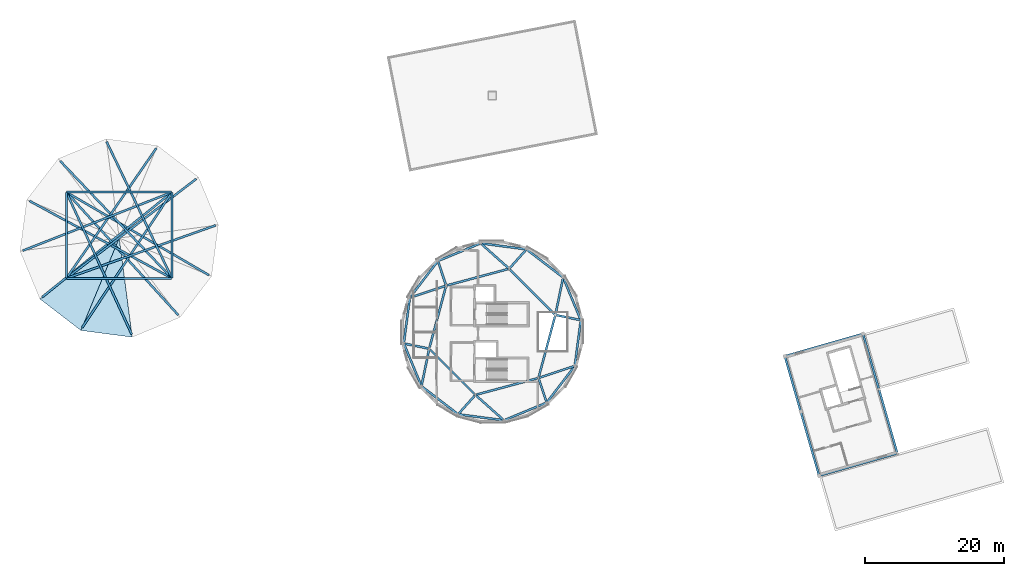
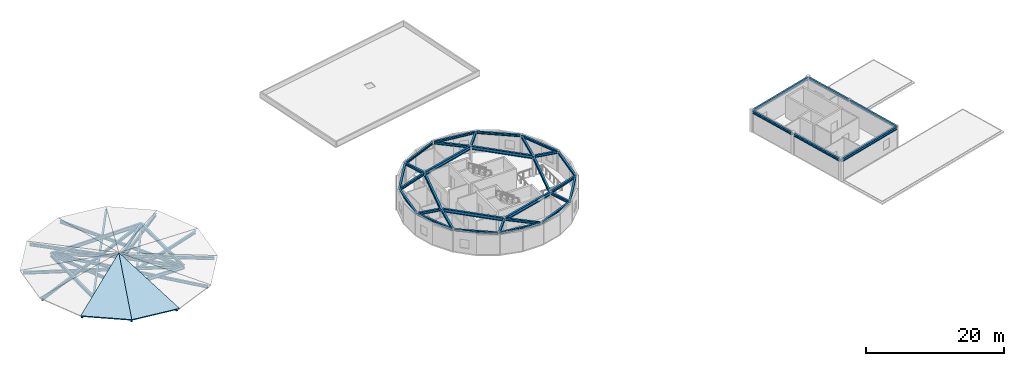
# One storey, part 4 of 11: 52 beams, 2 slabs.
"""IFC4 building model written with IfcOpenShell, lengths in metres."""

from ifc_helpers import new_model, si_unit, direction, frame, origin, origin_2d, place, context, subcontext, project, spatial, polyline, i_section, outline, extrude, material, layer, layer_set, material_profile, profile_set, type_object, element, save


model = new_model("IFC4")

# Units and contexts
model_context = context("Model", 3, precision=1e-05, world=origin(), true_north=direction((0.0, 1.0)))
body_context = subcontext(model_context, "Body", "Model", "MODEL_VIEW")
ifc_project = project(units=[si_unit("LENGTHUNIT", "METRE"), si_unit("AREAUNIT", "SQUARE_METRE"), si_unit("VOLUMEUNIT", "CUBIC_METRE"), si_unit("PLANEANGLEUNIT", "RADIAN"), si_unit("MASSUNIT", "GRAM", prefix="KILO")], contexts=[model_context])

# Site, building, storey
site_placement = place(None, origin())
site = spatial("IfcSite", under=ifc_project, at=site_placement, CompositionType="ELEMENT")
building_placement = place(site_placement, origin())
building = spatial("IfcBuilding", under=site, at=building_placement, Name="Varnklinge Art Gallery", CompositionType="ELEMENT")
storey_placement = place(building_placement, frame((0.0, 0.0, 17.639892578125)))
storey = spatial("IfcBuildingStorey", under=building, at=storey_placement, Name="L04", CompositionType="ELEMENT", Elevation=17.639892578125)

# Beams
ifc_material_1 = material(Name="Steel S355", Category="steel")
ifc_material_profile_1 = material_profile(ifc_material_1, i_section(OverallWidth=0.300048828125, OverallDepth=0.60009765625, WebThickness=0.015380859375, FlangeThickness=0.030029296875, FilletRadius=0.027099609375, at=origin_2d()), Name="HEB 600")
ifc_profile_set_1 = profile_set([ifc_material_profile_1], Name="Steel S355")
beam_type_1 = type_object("IfcBeamType", Name="BM-05", PredefinedType="BEAM", material=ifc_profile_set_1)
beam_1_placement = place(storey_placement, frame((14.25, 46.199951171875, 0.18017578125), z_axis=(1.0, 0.0, 0.0), x_axis=(0.0, 1.0, 0.0)))
element("IfcBeam", 1, at=beam_1_placement, inside=storey, type_object=beam_type_1, Name="L04 BM-05 BM-V3-ROOF-RING-1", PredefinedType="BEAM", context=body_context, shape_type="SweptSolid", body=[
    extrude(i_section(OverallWidth=0.300048828125, OverallDepth=0.60009765625, WebThickness=0.015380859375, FlangeThickness=0.030029296875, FilletRadius=0.027099609375, at=origin_2d()), origin(), (0.0, 0.0, 1.0), 15.10009765625),
])
beam_2_placement = place(storey_placement, frame((29.39990234375, 46.25, 0.18017578125), z_axis=(0.0, 1.0, 0.0), x_axis=(-1.0, 0.0, 0.0)))
element("IfcBeam", 2, at=beam_2_placement, inside=storey, type_object=beam_type_1, Name="L04 BM-05 BM-V3-ROOF-RING-2", PredefinedType="BEAM", context=body_context, shape_type="SweptSolid", body=[
    extrude(i_section(OverallWidth=0.300048828125, OverallDepth=0.60009765625, WebThickness=0.015380859375, FlangeThickness=0.030029296875, FilletRadius=0.027099609375, at=origin_2d()), origin(), (0.0, 0.0, 1.0), 12.300048828125),
])
beam_3_placement = place(storey_placement, frame((29.35009765625, 58.60009765625, 0.18017578125), z_axis=(-1.0, 0.0, 0.0), x_axis=(0.0, -1.0, 0.0)))
element("IfcBeam", 3, at=beam_3_placement, inside=storey, type_object=beam_type_1, Name="L04 BM-05 BM-V3-ROOF-RING-3", PredefinedType="BEAM", context=body_context, shape_type="SweptSolid", body=[
    extrude(i_section(OverallWidth=0.300048828125, OverallDepth=0.60009765625, WebThickness=0.015380859375, FlangeThickness=0.030029296875, FilletRadius=0.027099609375, at=origin_2d()), origin(), (0.0, 0.0, 1.0), 15.10009765625),
])
beam_4_placement = place(storey_placement, frame((14.199951171875, 58.550048828125, 0.18017578125), z_axis=(0.0, -1.0, 0.0), x_axis=(1.0, 0.0, 0.0)))
element("IfcBeam", 4, at=beam_4_placement, inside=storey, type_object=beam_type_1, Name="L04 BM-05 BM-V3-ROOF-RING-4", PredefinedType="BEAM", context=body_context, shape_type="SweptSolid", body=[
    extrude(i_section(OverallWidth=0.300048828125, OverallDepth=0.60009765625, WebThickness=0.015380859375, FlangeThickness=0.030029296875, FilletRadius=0.027099609375, at=origin_2d()), origin(), (0.0, 0.0, 1.0), 12.300048828125),
])
ifc_material_2 = material(Name="Steel S355", Category="steel")
ifc_material_profile_2 = material_profile(ifc_material_2, i_section(OverallWidth=0.300048828125, OverallDepth=0.590087890625, WebThickness=0.012939453125, FlangeThickness=0.02490234375, FilletRadius=0.027099609375, at=origin_2d()), Name="HEA 600")
ifc_profile_set_2 = profile_set([ifc_material_profile_2], Name="Steel S355")
beam_type_2 = type_object("IfcBeamType", Name="BM-06", PredefinedType="BEAM", material=ifc_profile_set_2)
beam_5_placement = place(storey_placement, frame((84.480712890625, 41.031982421875, 3.445068359375), z_axis=(-0.707106781187, 0.707106781187, 0.0), x_axis=(-0.707106781187, -0.707106781187, 0.0)))
element("IfcBeam", 5, at=beam_5_placement, inside=storey, type_object=beam_type_2, Name="L04 BM-06 BM-V4D-L05-I1", PredefinedType="BEAM", context=body_context, shape_type="SweptSolid", body=[
    extrude(i_section(OverallWidth=0.300048828125, OverallDepth=0.590087890625, WebThickness=0.012939453125, FlangeThickness=0.02490234375, FilletRadius=0.027099609375, at=origin_2d()), origin(), (0.0, 0.0, 1.0), 9.119873046875),
])
for number, where, z_axis, x_axis, name in (
    (6, (77.797607421875, 47.54345703125, 3.445068359375), (-0.965928574877, -0.258808787016, 0.0), (0.258808787016, -0.965928574877, 0.0), "L04 BM-06 BM-V4D-L05-I2"),
    (7, (68.81689453125, 45.01171875, 3.445068359375), (-0.258808787016, -0.965928574877, 0.0), (0.965928574877, -0.258808787016, 0.0), "L04 BM-06 BM-V4D-L05-I3"),
):
    element("IfcBeam", number, at=place(storey_placement, frame(where, z_axis=z_axis, x_axis=x_axis)), inside=storey, type_object=beam_type_2, Name=name, PredefinedType="BEAM", context=body_context, shape_type="SweptSolid", body=[
        extrude(i_section(OverallWidth=0.300048828125, OverallDepth=0.590087890625, WebThickness=0.012939453125, FlangeThickness=0.02490234375, FilletRadius=0.027099609375, at=origin_2d()), origin(), (0.0, 0.0, 1.0), 9.1201171875),
    ])
beam_6_placement = place(storey_placement, frame((66.519287109375, 35.968017578125, 3.445068359375), z_axis=(0.707106781187, -0.707106781187, 0.0), x_axis=(0.707106781187, 0.707106781187, 0.0)))
element("IfcBeam", 8, at=beam_6_placement, inside=storey, type_object=beam_type_2, Name="L04 BM-06 BM-V4D-L05-I4", PredefinedType="BEAM", context=body_context, shape_type="SweptSolid", body=[
    extrude(i_section(OverallWidth=0.300048828125, OverallDepth=0.590087890625, WebThickness=0.012939453125, FlangeThickness=0.02490234375, FilletRadius=0.027099609375, at=origin_2d()), origin(), (0.0, 0.0, 1.0), 9.119873046875),
])
for number, where, z_axis, x_axis, name in (
    (9, (73.202392578125, 29.45654296875, 3.445068359375), (0.965928574877, 0.258808787016, 0.0), (-0.258808787016, 0.965928574877, 0.0), "L04 BM-06 BM-V4D-L05-I5"),
    (10, (82.18310546875, 31.98828125, 3.445068359375), (0.258808787016, 0.965928574877, 0.0), (-0.965928574877, 0.258808787016, 0.0), "L04 BM-06 BM-V4D-L05-I6"),
):
    element("IfcBeam", number, at=place(storey_placement, frame(where, z_axis=z_axis, x_axis=x_axis)), inside=storey, type_object=beam_type_2, Name=name, PredefinedType="BEAM", context=body_context, shape_type="SweptSolid", body=[
        extrude(i_section(OverallWidth=0.300048828125, OverallDepth=0.590087890625, WebThickness=0.012939453125, FlangeThickness=0.02490234375, FilletRadius=0.027099609375, at=origin_2d()), origin(), (0.0, 0.0, 1.0), 9.1201171875),
    ])
ifc_material_3 = material(Name="Steel S355", Category="steel")
ifc_material_profile_3 = material_profile(ifc_material_3, i_section(OverallWidth=0.300048828125, OverallDepth=0.489990234375, WebThickness=0.011962890625, FlangeThickness=0.02294921875, FilletRadius=0.027099609375, at=origin_2d()), Name="HEA 500")
ifc_profile_set_3 = profile_set([ifc_material_profile_3], Name="Steel S355")
beam_type_3 = type_object("IfcBeamType", Name="BM-07", PredefinedType="BEAM", material=ifc_profile_set_3)
beam_7_placement = place(storey_placement, frame((35.653076171875, 53.813232421875, -0.443359375), z_axis=(-0.941998924804, -0.33429095388, 0.029792345014), x_axis=(0.334439408333, -0.942417254805, 0.0)))
element("IfcBeam", 11, at=beam_7_placement, inside=storey, type_object=beam_type_3, Name="L04 BM-07 BM-V3-ROOF-R01", PredefinedType="BEAM", context=body_context, shape_type="SweptSolid", body=[
    extrude(i_section(OverallWidth=0.300048828125, OverallDepth=0.489990234375, WebThickness=0.011962890625, FlangeThickness=0.02294921875, FilletRadius=0.027099609375, at=origin_2d()), origin(), (0.0, 0.0, 1.0), 22.72412109375),
])
beam_8_placement = place(storey_placement, frame((32.883056640625, 60.50439453125, -0.443603515625), z_axis=(-0.793672578578, -0.607661576669, 0.028831341526), x_axis=(0.607914292436, -0.794002653051, 0.0)))
element("IfcBeam", 12, at=beam_8_placement, inside=storey, type_object=beam_type_3, Name="L04 BM-07 BM-V3-ROOF-R02", PredefinedType="BEAM", context=body_context, shape_type="SweptSolid", body=[
    extrude(i_section(OverallWidth=0.300048828125, OverallDepth=0.489990234375, WebThickness=0.011962890625, FlangeThickness=0.02294921875, FilletRadius=0.027099609375, at=origin_2d()), origin(), (0.0, 0.0, 1.0), 23.489990234375),
])
beam_9_placement = place(storey_placement, frame((27.13671875, 64.91162109375, -0.443359375), z_axis=(-0.568436919163, -0.822186506205, 0.029813049948), x_axis=(0.822552137019, -0.568689706154, 0.0)))
element("IfcBeam", 13, at=beam_9_placement, inside=storey, type_object=beam_type_3, Name="L04 BM-07 BM-V3-ROOF-R03", PredefinedType="BEAM", context=body_context, shape_type="SweptSolid", body=[
    extrude(i_section(OverallWidth=0.300048828125, OverallDepth=0.489990234375, WebThickness=0.011962890625, FlangeThickness=0.02294921875, FilletRadius=0.027099609375, at=origin_2d()), origin(), (0.0, 0.0, 1.0), 22.708251953125),
])
beam_10_placement = place(storey_placement, frame((19.99169921875, 65.85498046875, -0.443359375), z_axis=(0.431549226115, -0.90155266698, 0.0311135678), x_axis=(0.90198935994, 0.431758259393, 0.0)))
element("IfcBeam", 14, at=beam_10_placement, inside=storey, type_object=beam_type_3, Name="L04 BM-07 BM-V3-ROOF-R04", PredefinedType="BEAM", context=body_context, shape_type="SweptSolid", body=[
    extrude(i_section(OverallWidth=0.300048828125, OverallDepth=0.489990234375, WebThickness=0.011962890625, FlangeThickness=0.02294921875, FilletRadius=0.027099609375, at=origin_2d()), origin(), (0.0, 0.0, 1.0), 21.751220703125),
])
beam_11_placement = place(storey_placement, frame((13.2998046875, 63.086669921875, -0.443359375), z_axis=(0.689757594681, -0.723456715825, 0.029066147102), x_axis=(0.723762512515, 0.690049147147, 0.0)))
element("IfcBeam", 15, at=beam_11_placement, inside=storey, type_object=beam_type_3, Name="L04 BM-07 BM-V3-ROOF-R05", PredefinedType="BEAM", context=body_context, shape_type="SweptSolid", body=[
    extrude(i_section(OverallWidth=0.300048828125, OverallDepth=0.489990234375, WebThickness=0.011962890625, FlangeThickness=0.02294921875, FilletRadius=0.027099609375, at=origin_2d()), origin(), (0.0, 0.0, 1.0), 23.291748046875),
])
beam_12_placement = place(storey_placement, frame((8.89111328125, 57.34130859375, -0.443359375), z_axis=(0.878341730536, -0.477149387216, 0.029056267447), x_axis=(0.47735093551, 0.878712742805, 0.0)))
element("IfcBeam", 16, at=beam_12_placement, inside=storey, type_object=beam_type_3, Name="L04 BM-07 BM-V3-ROOF-R06", PredefinedType="BEAM", context=body_context, shape_type="SweptSolid", body=[
    extrude(i_section(OverallWidth=0.300048828125, OverallDepth=0.489990234375, WebThickness=0.011962890625, FlangeThickness=0.02294921875, FilletRadius=0.027099609375, at=origin_2d()), origin(), (0.0, 0.0, 1.0), 23.2998046875),
])
beam_13_placement = place(storey_placement, frame((7.9462890625, 50.188232421875, -0.443359375), z_axis=(0.930591162374, 0.364875281265, 0.029429876526), x_axis=(-0.365033396439, 0.930994425055, 0.0)))
element("IfcBeam", 17, at=beam_13_placement, inside=storey, type_object=beam_type_3, Name="L04 BM-07 BM-V3-ROOF-R07", PredefinedType="BEAM", context=body_context, shape_type="SweptSolid", body=[
    extrude(i_section(OverallWidth=0.300048828125, OverallDepth=0.489990234375, WebThickness=0.011962890625, FlangeThickness=0.02294921875, FilletRadius=0.027099609375, at=origin_2d()), origin(), (0.0, 0.0, 1.0), 23.00390625),
])
beam_14_placement = place(storey_placement, frame((10.716064453125, 43.49658203125, -0.443603515625), z_axis=(0.777374487259, 0.628404006429, 0.028236700637), x_axis=(-0.628654673129, 0.777684577417, 0.0)))
element("IfcBeam", 18, at=beam_14_placement, inside=storey, type_object=beam_type_3, Name="L04 BM-07 BM-V3-ROOF-R08", PredefinedType="BEAM", context=body_context, shape_type="SweptSolid", body=[
    extrude(i_section(OverallWidth=0.300048828125, OverallDepth=0.489990234375, WebThickness=0.011962890625, FlangeThickness=0.02294921875, FilletRadius=0.027099609375, at=origin_2d()), origin(), (0.0, 0.0, 1.0), 23.984619140625),
])
beam_15_placement = place(storey_placement, frame((16.46240234375, 39.0888671875, -0.443603515625), z_axis=(0.552399537477, 0.833075623881, 0.028978541897), x_axis=(-0.83342563442, 0.552631624042, 0.0)))
element("IfcBeam", 19, at=beam_15_placement, inside=storey, type_object=beam_type_3, Name="L04 BM-07 BM-V3-ROOF-R09", PredefinedType="BEAM", context=body_context, shape_type="SweptSolid", body=[
    extrude(i_section(OverallWidth=0.300048828125, OverallDepth=0.489990234375, WebThickness=0.011962890625, FlangeThickness=0.02294921875, FilletRadius=0.027099609375, at=origin_2d()), origin(), (0.0, 0.0, 1.0), 23.37060546875),
])
beam_16_placement = place(storey_placement, frame((23.609130859375, 38.145263671875, -0.443359375), z_axis=(-0.417710416553, 0.908080763837, 0.030121989523), x_axis=(-0.908493010783, -0.417900047091, 0.0)))
element("IfcBeam", 20, at=beam_16_placement, inside=storey, type_object=beam_type_3, Name="L04 BM-07 BM-V3-ROOF-R10", PredefinedType="BEAM", context=body_context, shape_type="SweptSolid", body=[
    extrude(i_section(OverallWidth=0.300048828125, OverallDepth=0.489990234375, WebThickness=0.011962890625, FlangeThickness=0.02294921875, FilletRadius=0.027099609375, at=origin_2d()), origin(), (0.0, 0.0, 1.0), 22.475341796875),
])
beam_17_placement = place(storey_placement, frame((30.301025390625, 40.914306640625, -0.443603515625), z_axis=(-0.672932287592, 0.739160064087, 0.028364343369), x_axis=(-0.739457584055, -0.673203150159, 0.0)))
element("IfcBeam", 21, at=beam_17_placement, inside=storey, type_object=beam_type_3, Name="L04 BM-07 BM-V3-ROOF-R11", PredefinedType="BEAM", context=body_context, shape_type="SweptSolid", body=[
    extrude(i_section(OverallWidth=0.300048828125, OverallDepth=0.489990234375, WebThickness=0.011962890625, FlangeThickness=0.02294921875, FilletRadius=0.027099609375, at=origin_2d()), origin(), (0.0, 0.0, 1.0), 23.876708984375),
])
beam_18_placement = place(storey_placement, frame((34.709716796875, 46.659912109375, -0.443603515625), z_axis=(-0.863866982862, 0.502908236388, 0.028585690383), x_axis=(-0.503113836043, -0.864220150183, 0.0)))
element("IfcBeam", 22, at=beam_18_placement, inside=storey, type_object=beam_type_3, Name="L04 BM-07 BM-V3-ROOF-R12", PredefinedType="BEAM", context=body_context, shape_type="SweptSolid", body=[
    extrude(i_section(OverallWidth=0.300048828125, OverallDepth=0.489990234375, WebThickness=0.011962890625, FlangeThickness=0.02294921875, FilletRadius=0.027099609375, at=origin_2d()), origin(), (0.0, 0.0, 1.0), 23.69189453125),
])
for number, where, z_axis, x_axis, name in (
    (23, (122.67431640625, 17.8251953125, 3.51513671875), (0.961262939416, 0.275633019257, 0.0), (-0.275633019257, 0.961262939416, 0.0), "L04 BM-07 BM-V6-L05-U1-0"),
    (24, (117.740478515625, 35.03173828125, 3.51513671875), (0.961257274888, 0.275652773383, 0.0), (-0.275652773383, 0.961257274888, 0.0), "L04 BM-07 BM-V6-L05-U3-0"),
):
    element("IfcBeam", number, at=place(storey_placement, frame(where, z_axis=z_axis, x_axis=x_axis)), inside=storey, type_object=beam_type_3, Name=name, PredefinedType="BEAM", context=body_context, shape_type="SweptSolid", body=[
        extrude(i_section(OverallWidth=0.300048828125, OverallDepth=0.489990234375, WebThickness=0.011962890625, FlangeThickness=0.02294921875, FilletRadius=0.027099609375, at=origin_2d()), origin(), (0.0, 0.0, 1.0), 11.419921875),
    ])
ifc_material_4 = material(Name="Steel S355", Category="steel")
ifc_material_profile_4 = material_profile(ifc_material_4, i_section(OverallWidth=0.300048828125, OverallDepth=0.43994140625, WebThickness=0.011474609375, FlangeThickness=0.02099609375, FilletRadius=0.027099609375, at=origin_2d()), Name="HEA 450")
ifc_profile_set_4 = profile_set([ifc_material_profile_4], Name="Steel S355")
beam_type_4 = type_object("IfcBeamType", Name="BM-08", PredefinedType="BEAM", material=ifc_profile_set_4)
beam_19_placement = place(storey_placement, frame((84.716796875, 40.904541015625, 3.52001953125), z_axis=(0.979353549328, -0.202154953982, 0.0), x_axis=(0.202154953982, 0.979353549328, 0.0)))
element("IfcBeam", 25, at=beam_19_placement, inside=storey, type_object=beam_type_4, Name="L04 BM-08 BM-V4D-L05-R01", PredefinedType="BEAM", context=body_context, shape_type="SweptSolid", body=[
    extrude(i_section(OverallWidth=0.300048828125, OverallDepth=0.43994140625, WebThickness=0.011474609375, FlangeThickness=0.02099609375, FilletRadius=0.027099609375, at=origin_2d()), origin(), (0.0, 0.0, 1.0), 3.45751953125),
])
beam_20_placement = place(storey_placement, frame((84.608154296875, 41.070068359375, 3.52001953125), z_axis=(0.202556149381, 0.979270650202, 0.0), x_axis=(-0.979270650202, 0.202556149381, 0.0)))
element("IfcBeam", 26, at=beam_20_placement, inside=storey, type_object=beam_type_4, Name="L04 BM-08 BM-V4D-L05-R02", PredefinedType="BEAM", context=body_context, shape_type="SweptSolid", body=[
    extrude(i_section(OverallWidth=0.300048828125, OverallDepth=0.43994140625, WebThickness=0.011474609375, FlangeThickness=0.02099609375, FilletRadius=0.027099609375, at=origin_2d()), origin(), (0.0, 0.0, 1.0), 5.223876953125),
])
beam_21_placement = place(storey_placement, frame((78.02587890625, 47.684326171875, 3.52001953125), z_axis=(0.664780083084, 0.747039116201, 0.0), x_axis=(-0.747039116201, 0.664780083084, 0.0)))
element("IfcBeam", 27, at=beam_21_placement, inside=storey, type_object=beam_type_4, Name="L04 BM-08 BM-V4D-L05-R03", PredefinedType="BEAM", context=body_context, shape_type="SweptSolid", body=[
    extrude(i_section(OverallWidth=0.300048828125, OverallDepth=0.43994140625, WebThickness=0.011474609375, FlangeThickness=0.02099609375, FilletRadius=0.027099609375, at=origin_2d()), origin(), (0.0, 0.0, 1.0), 3.457763671875),
])
beam_22_placement = place(storey_placement, frame((77.828369140625, 47.6728515625, 3.52001953125), z_axis=(-0.746795307155, 0.665053959623, 0.0), x_axis=(-0.665053959623, -0.746795307155, 0.0)))
element("IfcBeam", 28, at=beam_22_placement, inside=storey, type_object=beam_type_4, Name="L04 BM-08 BM-V4D-L05-R04", PredefinedType="BEAM", context=body_context, shape_type="SweptSolid", body=[
    extrude(i_section(OverallWidth=0.300048828125, OverallDepth=0.43994140625, WebThickness=0.011474609375, FlangeThickness=0.02099609375, FilletRadius=0.027099609375, at=origin_2d()), origin(), (0.0, 0.0, 1.0), 5.223876953125),
])
beam_23_placement = place(storey_placement, frame((68.80908203125, 45.27978515625, 3.52001953125), z_axis=(-0.314574973389, 0.949232630137, 0.0), x_axis=(-0.949232630137, -0.314574973389, 0.0)))
element("IfcBeam", 29, at=beam_23_placement, inside=storey, type_object=beam_type_4, Name="L04 BM-08 BM-V4D-L05-R05", PredefinedType="BEAM", context=body_context, shape_type="SweptSolid", body=[
    extrude(i_section(OverallWidth=0.300048828125, OverallDepth=0.43994140625, WebThickness=0.011474609375, FlangeThickness=0.02099609375, FilletRadius=0.027099609375, at=origin_2d()), origin(), (0.0, 0.0, 1.0), 3.45751953125),
])
beam_24_placement = place(storey_placement, frame((68.72021484375, 45.102783203125, 3.52001953125), z_axis=(-0.949354152102, -0.314208042366, 0.0), x_axis=(0.314208042366, -0.949354152102, 0.0)))
element("IfcBeam", 30, at=beam_24_placement, inside=storey, type_object=beam_type_4, Name="L04 BM-08 BM-V4D-L05-R06", PredefinedType="BEAM", context=body_context, shape_type="SweptSolid", body=[
    extrude(i_section(OverallWidth=0.300048828125, OverallDepth=0.43994140625, WebThickness=0.011474609375, FlangeThickness=0.02099609375, FilletRadius=0.027099609375, at=origin_2d()), origin(), (0.0, 0.0, 1.0), 5.223876953125),
])
beam_25_placement = place(storey_placement, frame((66.283203125, 36.095458984375, 3.52001953125), z_axis=(-0.979353549328, 0.202154953982, 0.0), x_axis=(-0.202154953982, -0.979353549328, 0.0)))
element("IfcBeam", 31, at=beam_25_placement, inside=storey, type_object=beam_type_4, Name="L04 BM-08 BM-V4D-L05-R07", PredefinedType="BEAM", context=body_context, shape_type="SweptSolid", body=[
    extrude(i_section(OverallWidth=0.300048828125, OverallDepth=0.43994140625, WebThickness=0.011474609375, FlangeThickness=0.02099609375, FilletRadius=0.027099609375, at=origin_2d()), origin(), (0.0, 0.0, 1.0), 3.45751953125),
])
beam_26_placement = place(storey_placement, frame((66.391845703125, 35.929931640625, 3.52001953125), z_axis=(-0.202556149381, -0.979270650202, 0.0), x_axis=(0.979270650202, -0.202556149381, 0.0)))
element("IfcBeam", 32, at=beam_26_placement, inside=storey, type_object=beam_type_4, Name="L04 BM-08 BM-V4D-L05-R08", PredefinedType="BEAM", context=body_context, shape_type="SweptSolid", body=[
    extrude(i_section(OverallWidth=0.300048828125, OverallDepth=0.43994140625, WebThickness=0.011474609375, FlangeThickness=0.02099609375, FilletRadius=0.027099609375, at=origin_2d()), origin(), (0.0, 0.0, 1.0), 5.223876953125),
])
beam_27_placement = place(storey_placement, frame((72.97412109375, 29.315673828125, 3.52001953125), z_axis=(-0.664780083084, -0.747039116201, 0.0), x_axis=(0.747039116201, -0.664780083084, 0.0)))
element("IfcBeam", 33, at=beam_27_placement, inside=storey, type_object=beam_type_4, Name="L04 BM-08 BM-V4D-L05-R09", PredefinedType="BEAM", context=body_context, shape_type="SweptSolid", body=[
    extrude(i_section(OverallWidth=0.300048828125, OverallDepth=0.43994140625, WebThickness=0.011474609375, FlangeThickness=0.02099609375, FilletRadius=0.027099609375, at=origin_2d()), origin(), (0.0, 0.0, 1.0), 3.457763671875),
])
beam_28_placement = place(storey_placement, frame((73.171630859375, 29.3271484375, 3.52001953125), z_axis=(0.746795307155, -0.665053959623, 0.0), x_axis=(0.665053959623, 0.746795307155, 0.0)))
element("IfcBeam", 34, at=beam_28_placement, inside=storey, type_object=beam_type_4, Name="L04 BM-08 BM-V4D-L05-R10", PredefinedType="BEAM", context=body_context, shape_type="SweptSolid", body=[
    extrude(i_section(OverallWidth=0.300048828125, OverallDepth=0.43994140625, WebThickness=0.011474609375, FlangeThickness=0.02099609375, FilletRadius=0.027099609375, at=origin_2d()), origin(), (0.0, 0.0, 1.0), 5.223876953125),
])
beam_29_placement = place(storey_placement, frame((82.19091796875, 31.72021484375, 3.52001953125), z_axis=(0.314574973389, -0.949232630137, 0.0), x_axis=(0.949232630137, 0.314574973389, 0.0)))
element("IfcBeam", 35, at=beam_29_placement, inside=storey, type_object=beam_type_4, Name="L04 BM-08 BM-V4D-L05-R11", PredefinedType="BEAM", context=body_context, shape_type="SweptSolid", body=[
    extrude(i_section(OverallWidth=0.300048828125, OverallDepth=0.43994140625, WebThickness=0.011474609375, FlangeThickness=0.02099609375, FilletRadius=0.027099609375, at=origin_2d()), origin(), (0.0, 0.0, 1.0), 3.45751953125),
])
beam_30_placement = place(storey_placement, frame((82.27978515625, 31.897216796875, 3.52001953125), z_axis=(0.949354152102, 0.314208042366, 0.0), x_axis=(-0.314208042366, 0.949354152102, 0.0)))
element("IfcBeam", 36, at=beam_30_placement, inside=storey, type_object=beam_type_4, Name="L04 BM-08 BM-V4D-L05-R12", PredefinedType="BEAM", context=body_context, shape_type="SweptSolid", body=[
    extrude(i_section(OverallWidth=0.300048828125, OverallDepth=0.43994140625, WebThickness=0.011474609375, FlangeThickness=0.02099609375, FilletRadius=0.027099609375, at=origin_2d()), origin(), (0.0, 0.0, 1.0), 5.223876953125),
])
beam_31_placement = place(storey_placement, frame((122.501220703125, 17.92138671875, 3.5400390625), z_axis=(-0.275658609922, 0.961255601168, 0.0), x_axis=(-0.961255601168, -0.275658609922, 0.0)))
element("IfcBeam", 37, at=beam_31_placement, inside=storey, type_object=beam_type_4, Name="L04 BM-08 BM-V6-L05-V0-1", PredefinedType="BEAM", context=body_context, shape_type="SweptSolid", body=[
    extrude(i_section(OverallWidth=0.300048828125, OverallDepth=0.43994140625, WebThickness=0.011474609375, FlangeThickness=0.02099609375, FilletRadius=0.027099609375, at=origin_2d()), origin(), (0.0, 0.0, 1.0), 9.31982421875),
])
beam_32_placement = place(storey_placement, frame((119.85498046875, 27.1494140625, 3.5400390625), z_axis=(-0.275649759333, 0.961258139201, 0.0), x_axis=(-0.961258139201, -0.275649759333, 0.0)))
element("IfcBeam", 38, at=beam_32_placement, inside=storey, type_object=beam_type_4, Name="L04 BM-08 BM-V6-L05-V0-2", PredefinedType="BEAM", context=body_context, shape_type="SweptSolid", body=[
    extrude(i_section(OverallWidth=0.300048828125, OverallDepth=0.43994140625, WebThickness=0.011474609375, FlangeThickness=0.02099609375, FilletRadius=0.027099609375, at=origin_2d()), origin(), (0.0, 0.0, 1.0), 8.02001953125),
])
beam_33_placement = place(storey_placement, frame((133.747802734375, 21.146240234375, 3.5400390625), z_axis=(-0.275634404399, 0.961262542239, 0.0), x_axis=(-0.961262542239, -0.275634404399, 0.0)))
element("IfcBeam", 39, at=beam_33_placement, inside=storey, type_object=beam_type_4, Name="L04 BM-08 BM-V6-L05-V1-1", PredefinedType="BEAM", context=body_context, shape_type="SweptSolid", body=[
    extrude(i_section(OverallWidth=0.300048828125, OverallDepth=0.43994140625, WebThickness=0.011474609375, FlangeThickness=0.02099609375, FilletRadius=0.027099609375, at=origin_2d()), origin(), (0.0, 0.0, 1.0), 9.31982421875),
])
beam_34_placement = place(storey_placement, frame((131.101806640625, 30.374267578125, 3.5400390625), z_axis=(-0.275649759333, 0.961258139201, 0.0), x_axis=(-0.961258139201, -0.275649759333, 0.0)))
element("IfcBeam", 40, at=beam_34_placement, inside=storey, type_object=beam_type_4, Name="L04 BM-08 BM-V6-L05-V1-2", PredefinedType="BEAM", context=body_context, shape_type="SweptSolid", body=[
    extrude(i_section(OverallWidth=0.300048828125, OverallDepth=0.43994140625, WebThickness=0.011474609375, FlangeThickness=0.02099609375, FilletRadius=0.027099609375, at=origin_2d()), origin(), (0.0, 0.0, 1.0), 8.02001953125),
])
ifc_material_5 = material(Name="Steel S355", Category="steel")
ifc_material_profile_5 = material_profile(ifc_material_5, i_section(OverallWidth=0.300048828125, OverallDepth=0.389892578125, WebThickness=0.010986328125, FlangeThickness=0.01904296875, FilletRadius=0.027099609375, at=origin_2d()), Name="HEA 400")
ifc_profile_set_5 = profile_set([ifc_material_profile_5], Name="Steel S355")
beam_type_5 = type_object("IfcBeamType", Name="SPB-03", PredefinedType="SPANDREL", material=ifc_profile_set_5)
for number, where, z_axis, x_axis, name in (
    (41, (88.1865234375, 40.306640625, 3.545166015625), (-0.382666510137, 0.923886541746, 0.0), (-0.923886541746, -0.382666510137, 0.0), "L04 SPB-03 BM-V4D-L05-P01"),
    (42, (85.58349609375, 46.40771484375, 3.545166015625), (-0.793344185287, 0.608773359857, 0.0), (-0.608773359857, -0.793344185287, 0.0), "L04 SPB-03 BM-V4D-L05-P02"),
):
    element("IfcBeam", number, at=place(storey_placement, frame(where, z_axis=z_axis, x_axis=x_axis)), inside=storey, type_object=beam_type_5, Name=name, PredefinedType="SPANDREL", context=body_context, shape_type="SweptSolid", body=[
        extrude(i_section(OverallWidth=0.300048828125, OverallDepth=0.389892578125, WebThickness=0.010986328125, FlangeThickness=0.01904296875, FilletRadius=0.027099609375, at=origin_2d()), origin(), (0.0, 0.0, 1.0), 6.37158203125),
    ])
beam_35_placement = place(storey_placement, frame((80.27880859375, 50.39013671875, 3.545166015625), z_axis=(-0.991448034575, 0.130502087099, 0.0), x_axis=(-0.130502087099, -0.991448034575, 0.0)))
element("IfcBeam", 43, at=beam_35_placement, inside=storey, type_object=beam_type_5, Name="L04 SPB-03 BM-V4D-L05-P03", PredefinedType="SPANDREL", context=body_context, shape_type="SweptSolid", body=[
    extrude(i_section(OverallWidth=0.300048828125, OverallDepth=0.389892578125, WebThickness=0.010986328125, FlangeThickness=0.01904296875, FilletRadius=0.027099609375, at=origin_2d()), origin(), (0.0, 0.0, 1.0), 6.371826171875),
])
for number, where, z_axis, x_axis, name in (
    (44, (73.693359375, 51.1865234375, 3.545166015625), (-0.923886541746, -0.382666510137, 0.0), (0.382666510137, -0.923886541746, 0.0), "L04 SPB-03 BM-V4D-L05-P04"),
    (45, (67.59228515625, 48.58349609375, 3.545166015625), (-0.608773359857, -0.793344185287, 0.0), (0.793344185287, -0.608773359857, 0.0), "L04 SPB-03 BM-V4D-L05-P05"),
):
    element("IfcBeam", number, at=place(storey_placement, frame(where, z_axis=z_axis, x_axis=x_axis)), inside=storey, type_object=beam_type_5, Name=name, PredefinedType="SPANDREL", context=body_context, shape_type="SweptSolid", body=[
        extrude(i_section(OverallWidth=0.300048828125, OverallDepth=0.389892578125, WebThickness=0.010986328125, FlangeThickness=0.01904296875, FilletRadius=0.027099609375, at=origin_2d()), origin(), (0.0, 0.0, 1.0), 6.37158203125),
    ])
beam_36_placement = place(storey_placement, frame((63.60986328125, 43.27880859375, 3.545166015625), z_axis=(-0.130502087099, -0.991448034575, 0.0), x_axis=(0.991448034575, -0.130502087099, 0.0)))
element("IfcBeam", 46, at=beam_36_placement, inside=storey, type_object=beam_type_5, Name="L04 SPB-03 BM-V4D-L05-P06", PredefinedType="SPANDREL", context=body_context, shape_type="SweptSolid", body=[
    extrude(i_section(OverallWidth=0.300048828125, OverallDepth=0.389892578125, WebThickness=0.010986328125, FlangeThickness=0.01904296875, FilletRadius=0.027099609375, at=origin_2d()), origin(), (0.0, 0.0, 1.0), 6.371826171875),
])
for number, where, z_axis, x_axis, name in (
    (47, (62.8134765625, 36.693359375, 3.545166015625), (0.382666510137, -0.923886541746, 0.0), (0.923886541746, 0.382666510137, 0.0), "L04 SPB-03 BM-V4D-L05-P07"),
    (48, (65.41650390625, 30.59228515625, 3.545166015625), (0.793344185287, -0.608773359857, 0.0), (0.608773359857, 0.793344185287, 0.0), "L04 SPB-03 BM-V4D-L05-P08"),
):
    element("IfcBeam", number, at=place(storey_placement, frame(where, z_axis=z_axis, x_axis=x_axis)), inside=storey, type_object=beam_type_5, Name=name, PredefinedType="SPANDREL", context=body_context, shape_type="SweptSolid", body=[
        extrude(i_section(OverallWidth=0.300048828125, OverallDepth=0.389892578125, WebThickness=0.010986328125, FlangeThickness=0.01904296875, FilletRadius=0.027099609375, at=origin_2d()), origin(), (0.0, 0.0, 1.0), 6.37158203125),
    ])
beam_37_placement = place(storey_placement, frame((70.72119140625, 26.60986328125, 3.545166015625), z_axis=(0.991448034575, -0.130502087099, 0.0), x_axis=(0.130502087099, 0.991448034575, 0.0)))
element("IfcBeam", 49, at=beam_37_placement, inside=storey, type_object=beam_type_5, Name="L04 SPB-03 BM-V4D-L05-P09", PredefinedType="SPANDREL", context=body_context, shape_type="SweptSolid", body=[
    extrude(i_section(OverallWidth=0.300048828125, OverallDepth=0.389892578125, WebThickness=0.010986328125, FlangeThickness=0.01904296875, FilletRadius=0.027099609375, at=origin_2d()), origin(), (0.0, 0.0, 1.0), 6.371826171875),
])
for number, where, z_axis, x_axis, name in (
    (50, (77.306640625, 25.8134765625, 3.545166015625), (0.923886541746, 0.382666510137, 0.0), (-0.382666510137, 0.923886541746, 0.0), "L04 SPB-03 BM-V4D-L05-P10"),
    (51, (83.40771484375, 28.41650390625, 3.545166015625), (0.608773359857, 0.793344185287, 0.0), (-0.793344185287, 0.608773359857, 0.0), "L04 SPB-03 BM-V4D-L05-P11"),
):
    element("IfcBeam", number, at=place(storey_placement, frame(where, z_axis=z_axis, x_axis=x_axis)), inside=storey, type_object=beam_type_5, Name=name, PredefinedType="SPANDREL", context=body_context, shape_type="SweptSolid", body=[
        extrude(i_section(OverallWidth=0.300048828125, OverallDepth=0.389892578125, WebThickness=0.010986328125, FlangeThickness=0.01904296875, FilletRadius=0.027099609375, at=origin_2d()), origin(), (0.0, 0.0, 1.0), 6.37158203125),
    ])
beam_38_placement = place(storey_placement, frame((87.39013671875, 33.72119140625, 3.545166015625), z_axis=(0.130502087099, 0.991448034575, 0.0), x_axis=(-0.991448034575, 0.130502087099, 0.0)))
element("IfcBeam", 52, at=beam_38_placement, inside=storey, type_object=beam_type_5, Name="L04 SPB-03 BM-V4D-L05-P12", PredefinedType="SPANDREL", context=body_context, shape_type="SweptSolid", body=[
    extrude(i_section(OverallWidth=0.300048828125, OverallDepth=0.389892578125, WebThickness=0.010986328125, FlangeThickness=0.01904296875, FilletRadius=0.027099609375, at=origin_2d()), origin(), (0.0, 0.0, 1.0), 6.371826171875),
])

# Slabs
ifc_material_6 = material(Name="Concrete C40/50", Category="concrete")
ifc_layer = layer(ifc_material_6, 0.179931640625)
ifc_layer_set = layer_set([ifc_layer], Name="Concrete C40/50")
slab_type = type_object("IfcSlabType", Name="SLB-FOLD18", PredefinedType="ROOF", material=ifc_layer_set)
slab_1_placement = place(storey_placement, frame((10.375732421875, 43.23388671875, 0.0), z_axis=(-0.079840300427, -0.104045395004, 0.991362739973), x_axis=(0.793340595251, -0.608778038309, 0.0)))
element("IfcSlab", 53, at=slab_1_placement, inside=storey, type_object=slab_type, Name="Auditorium Drum Folded Roof Facet 8", PredefinedType="ROOF", context=body_context, shape_type="SweptSolid", body=[
    extrude(outline(polyline([(0.0, 0.0), (7.454016918020136, 4.440892098500626e-16), (3.726756731110804, 14.03057215947253), (0.0, 0.0)])), origin(), (0.0, 0.0, -1.0), 0.179931640625),
])
slab_2_placement = place(storey_placement, frame((16.289306640625, 38.696044921875, 0.0), z_axis=(-0.017117220916, -0.130026447766, 0.991362760865), x_axis=(0.991445932631, -0.130518054955, 0.0)))
element("IfcSlab", 54, at=slab_2_placement, inside=storey, type_object=slab_type, Name="Auditorium Drum Folded Roof Facet 9", PredefinedType="ROOF", context=body_context, shape_type="SweptSolid", body=[
    extrude(outline(polyline([(0.0, 0.0), (7.454144110271456, -2.220446049250313e-16), (3.7271965875735233, 14.03058905465716), (0.0, 0.0)])), origin(), (0.0, 0.0, -1.0), 0.179931640625),
])

save(model, "model.ifc")
